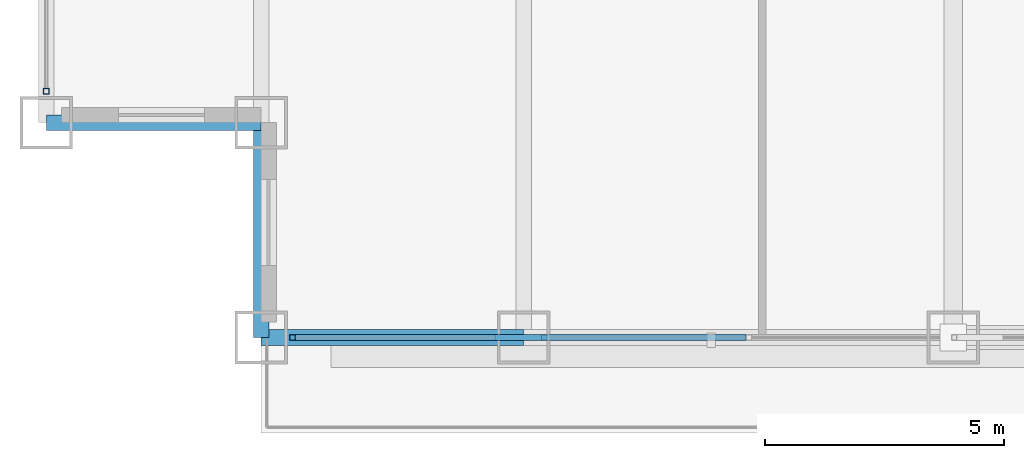
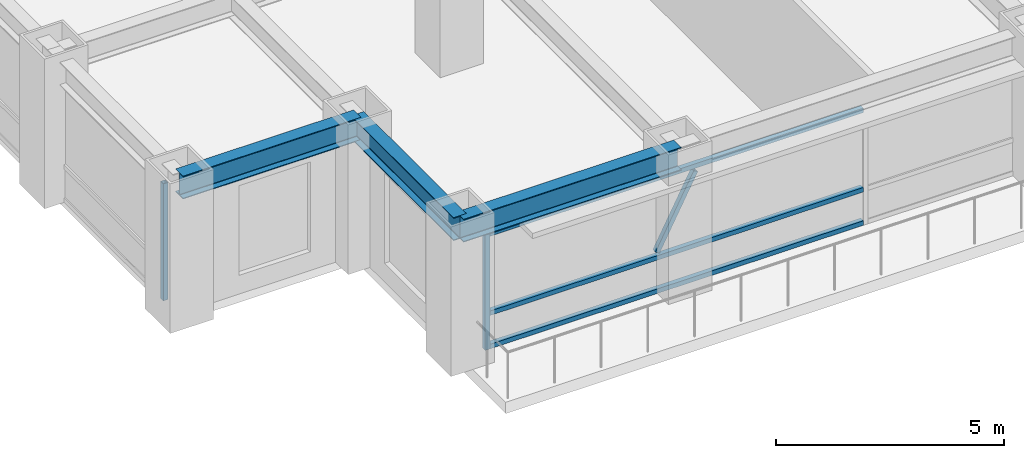
# One storey, part 2 of 35: 6 members, 3 beams, 2 elements without a shape of their own.
"""IFC4 building model written with IfcOpenShell, lengths in metres."""

from ifc_helpers import new_model, si_unit, direction, frame, origin, origin_2d, place, context, subcontext, project, spatial, hollow_rectangle, i_section, extrude, source, transform, mapped, material, material_profile, profile_set, type_object, element, aggregate, save


model = new_model("IFC4")

# Units and contexts
model_context = context("Model", 3, precision=1e-05, world=origin(), true_north=direction((0.0, 1.0)))
body_context = subcontext(model_context, "Body", "Model", "MODEL_VIEW")
ifc_project = project(units=[si_unit("LENGTHUNIT", "METRE"), si_unit("AREAUNIT", "SQUARE_METRE"), si_unit("VOLUMEUNIT", "CUBIC_METRE"), si_unit("PLANEANGLEUNIT", "RADIAN"), si_unit("MASSUNIT", "GRAM", prefix="KILO")], contexts=[model_context])

# Site, building, storey
site_placement = place(None, origin())
site = spatial("IfcSite", under=ifc_project, at=site_placement, CompositionType="ELEMENT")
building_placement = place(site_placement, origin())
building = spatial("IfcBuilding", under=site, at=building_placement, Name="Khorayat Bourse Tower", CompositionType="ELEMENT")
storey_placement = place(building_placement, frame((0.0, 0.0, 155.10009765625)))
storey = spatial("IfcBuildingStorey", under=building, at=storey_placement, Name="L35", CompositionType="ELEMENT", Elevation=155.10009765625)

# Beams
ifc_material_1 = material(Name="Steel ASTM A992 Grade 50", Category="steel")
ifc_material_profile_1 = material_profile(ifc_material_1, i_section(OverallWidth=0.324951171875, OverallDepth=0.615966796875, WebThickness=0.013916015625, FlangeThickness=0.021484375, FilletRadius=0.01611328125, at=origin_2d()), Name="W610X174")
ifc_profile_set_1 = profile_set([ifc_material_profile_1], Name="Steel ASTM A992 Grade 50")
beam_type = type_object("IfcBeamType", Name="BM-SPAN-610", PredefinedType="SPANDREL", material=ifc_profile_set_1)
shared_shape_1 = source(origin(), body_context, "Body", "SweptSolid", [
    extrude(i_section(OverallWidth=0.324951171875, OverallDepth=0.615966796875, WebThickness=0.013916015625, FlangeThickness=0.021484375, FilletRadius=0.01611328125, at=origin_2d()), origin(), (0.0, 0.0, 1.0), 5.5),
])
beam_placement = place(storey_placement, frame((-25.5, -30.0, 3.471923828125), z_axis=(1.0, 0.0, 0.0), x_axis=(0.0, 1.0, 0.0)))
element("IfcBeam", 1, at=beam_placement, inside=storey, type_object=beam_type, Name="L35 BM-SPAN-610 BM-L35-SPN-024", PredefinedType="SPANDREL", context=body_context, shape_type="MappedRepresentation", body=[
    mapped(shared_shape_1, transform((0.0, 0.0, 0.0), scale=1.0)),
])
shared_shape_2 = source(origin(), body_context, "Body", "SweptSolid", [
    extrude(i_section(OverallWidth=0.324951171875, OverallDepth=0.615966796875, WebThickness=0.013916015625, FlangeThickness=0.021484375, FilletRadius=0.01611328125, at=origin_2d()), origin(), (0.0, 0.0, 1.0), 4.5),
])
for number, where, z_axis, x_axis, name in (
    (2, (-30.0, -25.5, 3.471923828125), (1.0, 0.0, 0.0), (0.0, 1.0, 0.0), "L35 BM-SPAN-610 BM-L35-SPN-062"),
    (3, (-25.5, -30.0, 3.471923828125), (0.0, 1.0, 0.0), (-1.0, 0.0, 0.0), "L35 BM-SPAN-610 BM-L35-SPN-063"),
):
    element("IfcBeam", number, at=place(storey_placement, frame(where, z_axis=z_axis, x_axis=x_axis)), inside=storey, type_object=beam_type, Name=name, PredefinedType="SPANDREL", context=body_context, shape_type="MappedRepresentation", body=[
        mapped(shared_shape_2, transform((0.0, 0.0, 0.0), scale=1.0)),
    ])

# Curtain wall, member
ifc_material_2 = material(Name="Aluminium EN AW-6063 T6", Category="aluminium")
curtain_wall_type = type_object("IfcCurtainWallType", Name="CW-SYS-03", PredefinedType="NOTDEFINED", material=ifc_material_2)
curtain_wall_1_placement = place(storey_placement, origin())
curtain_wall_1 = element("IfcCurtainWall", 4, at=curtain_wall_1_placement, inside=storey, type_object=curtain_wall_type, Name="L35 Curtain Wall CW-L35-S1", PredefinedType="NOTDEFINED")
ifc_material_profile_2 = material_profile(ifc_material_2, hollow_rectangle(XDim=0.1201171875, YDim=0.1201171875, WallThickness=0.0048828125, at=origin_2d()), Name="ALU 120x120x5")
ifc_profile_set_2 = profile_set([ifc_material_profile_2], Name="Aluminium EN AW-6063 T6")
member_type_1 = type_object("IfcMemberType", Name="CWM-VERT-120", PredefinedType="MULLION", material=ifc_profile_set_2)
shared_shape_3 = source(origin(), body_context, "Body", "SweptSolid", [
    extrude(hollow_rectangle(XDim=0.1201171875, YDim=0.1201171875, WallThickness=0.0048828125, at=origin_2d()), origin(), (0.0, 0.0, 1.0), 3.1298828125),
])
member_1_placement = place(storey_placement, frame((-24.840087890625, -30.0, 0.0), z_axis=(0.0, 0.0, 1.0), x_axis=(0.0, 1.0, 0.0)))
member_1 = element("IfcMember", 5, at=member_1_placement, type_object=member_type_1, Name="CW-L35-S1 Vertical Mullion 1", PredefinedType="MULLION", context=body_context, shape_type="MappedRepresentation", body=[
    mapped(shared_shape_3, transform((0.0, 0.0, 0.0), scale=1.0)),
])

curtain_wall_2_placement = place(storey_placement, origin())
curtain_wall_2 = element("IfcCurtainWall", 6, at=curtain_wall_2_placement, inside=storey, type_object=curtain_wall_type, Name="L35 Curtain Wall CW-L35-W1", PredefinedType="NOTDEFINED")
member_2_placement = place(storey_placement, frame((-30.0, -24.840087890625, 0.0), z_axis=(0.0, 0.0, 1.0), x_axis=(-1.0, 0.0, 0.0)))
member_2 = element("IfcMember", 7, at=member_2_placement, type_object=member_type_1, Name="CW-L35-W1 Vertical Mullion 1", PredefinedType="MULLION", context=body_context, shape_type="MappedRepresentation", body=[
    mapped(shared_shape_3, transform((0.0, 0.0, 0.0), scale=1.0)),
])
aggregate(curtain_wall_2, [member_2])

# Member
ifc_material_profile_3 = material_profile(ifc_material_2, hollow_rectangle(XDim=0.1201171875, YDim=0.1201171875, WallThickness=0.0048828125, at=origin_2d()), Name="ALU 120x120x5")
ifc_profile_set_3 = profile_set([ifc_material_profile_3], Name="Aluminium EN AW-6063 T6")
member_type_2 = type_object("IfcMemberType", Name="CWT-HORZ-120", PredefinedType="USERDEFINED", material=ifc_profile_set_3)
shared_shape_4 = source(origin(), body_context, "Body", "SweptSolid", [
    extrude(hollow_rectangle(XDim=0.1201171875, YDim=0.1201171875, WallThickness=0.0048828125, at=origin_2d()), origin(), (0.0, 0.0, 1.0), 9.445068359375),
])
member_3_placement = place(storey_placement, frame((-24.780029296875, -30.0, 0.059814453125), z_axis=(1.0, 0.0, 0.0), x_axis=(0.0, 1.0, 0.0)))
member_3 = element("IfcMember", 8, at=member_3_placement, type_object=member_type_2, Name="CW-L35-S1 Horizontal Transom 1-1", ObjectType="TRANSOM", PredefinedType="USERDEFINED", context=body_context, shape_type="MappedRepresentation", body=[
    mapped(shared_shape_4, transform((0.0, 0.0, 0.0), scale=1.0)),
])

member_4_placement = place(storey_placement, frame((-24.780029296875, -30.0, 0.949951171875), z_axis=(1.0, 0.0, 0.0), x_axis=(0.0, 1.0, 0.0)))
member_4 = element("IfcMember", 9, at=member_4_placement, type_object=member_type_2, Name="CW-L35-S1 Horizontal Transom 1-2", ObjectType="TRANSOM", PredefinedType="USERDEFINED", context=body_context, shape_type="MappedRepresentation", body=[
    mapped(shared_shape_4, transform((0.0, 0.0, 0.0), scale=1.0)),
])

member_5_placement = place(storey_placement, frame((-24.780029296875, -30.0, 3.06982421875), z_axis=(1.0, 0.0, 0.0), x_axis=(0.0, 1.0, 0.0)))
member_5 = element("IfcMember", 10, at=member_5_placement, type_object=member_type_2, Name="CW-L35-S1 Horizontal Transom 1-3", ObjectType="TRANSOM", PredefinedType="USERDEFINED", context=body_context, shape_type="MappedRepresentation", body=[
    mapped(shared_shape_4, transform((0.0, 0.0, 0.0), scale=1.0)),
])

ifc_material_profile_4 = material_profile(ifc_material_2, hollow_rectangle(XDim=0.1201171875, YDim=0.1201171875, WallThickness=0.0048828125, at=origin_2d()), Name="ALU 120x120x5")
ifc_profile_set_4 = profile_set([ifc_material_profile_4], Name="Aluminium EN AW-6063 T6")
member_type_3 = type_object("IfcMemberType", Name="CWM-DIAG-120", PredefinedType="MULLION", material=ifc_profile_set_4)
shared_shape_5 = source(origin(), body_context, "Body", "SweptSolid", [
    extrude(hollow_rectangle(XDim=0.1201171875, YDim=0.1201171875, WallThickness=0.0048828125, at=origin_2d()), origin(), (0.0, 0.0, 1.0), 2.079345703125),
])
member_6_placement = place(storey_placement, frame((-20.541748046875, -30.0, 1.08984375), z_axis=(0.465760949701, 0.0, 0.884910581773), x_axis=(0.0, 1.0, 0.0)))
member_6 = element("IfcMember", 11, at=member_6_placement, type_object=member_type_3, Name="CW-L35-S1 Faceted Diagonal Mullion 1", PredefinedType="MULLION", context=body_context, shape_type="MappedRepresentation", body=[
    mapped(shared_shape_5, transform((0.0, 0.0, 0.0), scale=1.0)),
])

aggregate(curtain_wall_1, [member_1, member_3, member_4, member_5, member_6])

save(model, "model.ifc")
